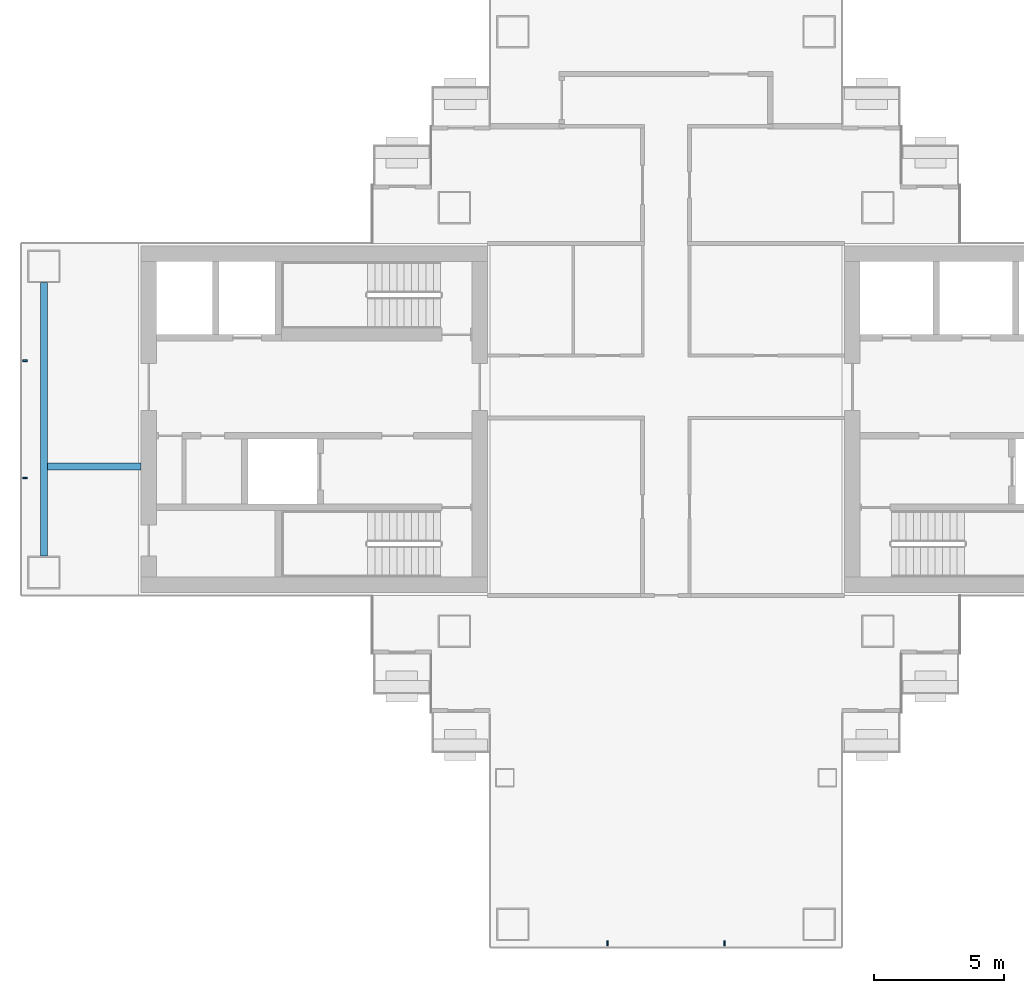
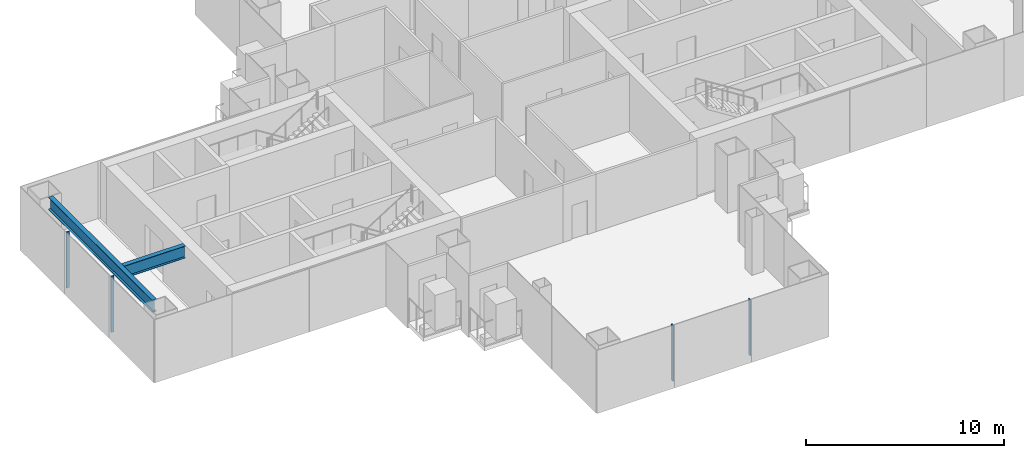
# One storey, part 3 of 20: 4 members, 2 beams, 2 elements without a shape of their own.
"""IFC4 building model written with IfcOpenShell, lengths in metres."""

from ifc_helpers import new_model, si_unit, direction, frame, origin, origin_2d, place, context, subcontext, project, spatial, rectangle, i_section, extrude, material, layer, layer_set, material_profile, profile_set, type_object, element, aggregate, save


model = new_model("IFC4")

# Units and contexts
model_context = context("Model", 3, precision=1e-05, world=origin(), true_north=direction((0.0, 1.0)))
body_context = subcontext(model_context, "Body", "Model", "MODEL_VIEW")
ifc_project = project(units=[si_unit("LENGTHUNIT", "METRE"), si_unit("AREAUNIT", "SQUARE_METRE"), si_unit("VOLUMEUNIT", "CUBIC_METRE"), si_unit("PLANEANGLEUNIT", "RADIAN"), si_unit("MASSUNIT", "GRAM", prefix="KILO")], contexts=[model_context])

# Site, building, storey
site_placement = place(None, origin())
site = spatial("IfcSite", under=ifc_project, at=site_placement, CompositionType="ELEMENT")
building_placement = place(site_placement, origin())
building = spatial("IfcBuilding", under=site, at=building_placement, Name="Shamsa Quay Exchange Towers", CompositionType="ELEMENT")
storey_placement = place(building_placement, frame((0.0, 0.0, 120.89990234375)))
storey = spatial("IfcBuildingStorey", under=building, at=storey_placement, Name="L28", CompositionType="ELEMENT", Elevation=120.89990234375)

# Curtain wall, members
ifc_material_1 = material(Name="Aluminium EN AW-6063 T6, black anodised", Category="aluminium")
ifc_layer = layer(ifc_material_1, 0.280029296875)
ifc_layer_set = layer_set([ifc_layer], Name="CW-1 UNITISED VISION GLASS")
curtain_wall_type = type_object("IfcCurtainWallType", Name="CW-1 UNITISED VISION GLASS", PredefinedType="NOTDEFINED", material=ifc_layer_set)
curtain_wall_1_placement = place(storey_placement, origin())
curtain_wall_1 = element("IfcCurtainWall", 1, at=curtain_wall_1_placement, inside=storey, type_object=curtain_wall_type, Name="CW1 T1-END-V- L28", PredefinedType="NOTDEFINED")
ifc_material_profile_1 = material_profile(ifc_material_1, rectangle(XDim=0.179931640625, YDim=0.06005859375, at=origin_2d()), Name="MU60x180")
ifc_profile_set_1 = profile_set([ifc_material_profile_1], Name="Aluminium EN AW-6063 T6, black anodised")
member_type = type_object("IfcMemberType", Name="CW1 MULLION 60x180", PredefinedType="MULLION", material=ifc_profile_set_1)
member_1_placement = place(storey_placement, frame((-36.0, -20.10009765625, 0.0), z_axis=(0.0, 0.0, 1.0), x_axis=(0.0, 1.0, 0.0)))
member_1 = element("IfcMember", 2, at=member_1_placement, type_object=member_type, Name="CW1 mullion", PredefinedType="MULLION", context=body_context, shape_type="SweptSolid", body=[
    extrude(rectangle(XDim=0.179931640625, YDim=0.06005859375, at=origin_2d()), origin(), (0.0, 0.0, 1.0), 3.4501953125),
])
member_2_placement = place(storey_placement, frame((-31.5, -20.10009765625, 0.0), z_axis=(0.0, 0.0, 1.0), x_axis=(0.0, 1.0, 0.0)))
member_2 = element("IfcMember", 3, at=member_2_placement, type_object=member_type, Name="CW1 mullion", PredefinedType="MULLION", context=body_context, shape_type="SweptSolid", body=[
    extrude(rectangle(XDim=0.179931640625, YDim=0.06005859375, at=origin_2d()), origin(), (0.0, 0.0, 1.0), 3.4501953125),
])
aggregate(curtain_wall_1, [member_1, member_2])

curtain_wall_2_placement = place(storey_placement, origin())
curtain_wall_2 = element("IfcCurtainWall", 4, at=curtain_wall_2_placement, inside=storey, type_object=curtain_wall_type, Name="CW1 T1-END-U- L28", PredefinedType="NOTDEFINED")
member_3_placement = place(storey_placement, frame((-58.35009765625, 2.25, 0.0)))
member_3 = element("IfcMember", 5, at=member_3_placement, type_object=member_type, Name="CW1 mullion", PredefinedType="MULLION", context=body_context, shape_type="SweptSolid", body=[
    extrude(rectangle(XDim=0.179931640625, YDim=0.06005859375, at=origin_2d()), origin(), (0.0, 0.0, 1.0), 3.4501953125),
])
member_4_placement = place(storey_placement, frame((-58.35009765625, -2.25, 0.0)))
member_4 = element("IfcMember", 6, at=member_4_placement, type_object=member_type, Name="CW1 mullion", PredefinedType="MULLION", context=body_context, shape_type="SweptSolid", body=[
    extrude(rectangle(XDim=0.179931640625, YDim=0.06005859375, at=origin_2d()), origin(), (0.0, 0.0, 1.0), 3.4501953125),
])
aggregate(curtain_wall_2, [member_3, member_4])

# Beams
ifc_material_2 = material(Name="Steel S355", Category="steel")
ifc_material_profile_2 = material_profile(ifc_material_2, i_section(OverallWidth=0.26611328125, OverallDepth=0.7578125, WebThickness=0.013916015625, FlangeThickness=0.019287109375, at=origin_2d()), Name="W30x108")
ifc_profile_set_2 = profile_set([ifc_material_profile_2], Name="Steel S355")
beam_type = type_object("IfcBeamType", Name="End-zone beam W30x108", PredefinedType="BEAM", material=ifc_profile_set_2)
beam_1_placement = place(storey_placement, frame((-57.625, -5.25, 3.171142578125), z_axis=(0.0, 1.0, 0.0), x_axis=(-1.0, 0.0, 0.0)))
element("IfcBeam", 7, at=beam_1_placement, inside=storey, type_object=beam_type, Name="End beam T1 U- end zone L28", PredefinedType="BEAM", context=body_context, shape_type="SweptSolid", body=[
    extrude(i_section(OverallWidth=0.26611328125, OverallDepth=0.7578125, WebThickness=0.013916015625, FlangeThickness=0.019287109375, at=origin_2d()), origin(), (0.0, 0.0, 1.0), 10.5),
])
beam_2_placement = place(storey_placement, frame((-53.89990234375, -1.800048828125, 3.171142578125), z_axis=(-1.0, 0.0, 0.0), x_axis=(0.0, -1.0, 0.0)))
element("IfcBeam", 8, at=beam_2_placement, inside=storey, type_object=beam_type, Name="Spine beam T1 U- end zone L28", PredefinedType="BEAM", context=body_context, shape_type="SweptSolid", body=[
    extrude(i_section(OverallWidth=0.26611328125, OverallDepth=0.7578125, WebThickness=0.013916015625, FlangeThickness=0.019287109375, at=origin_2d()), origin(), (0.0, 0.0, 1.0), 3.592041015625),
])

save(model, "model.ifc")
